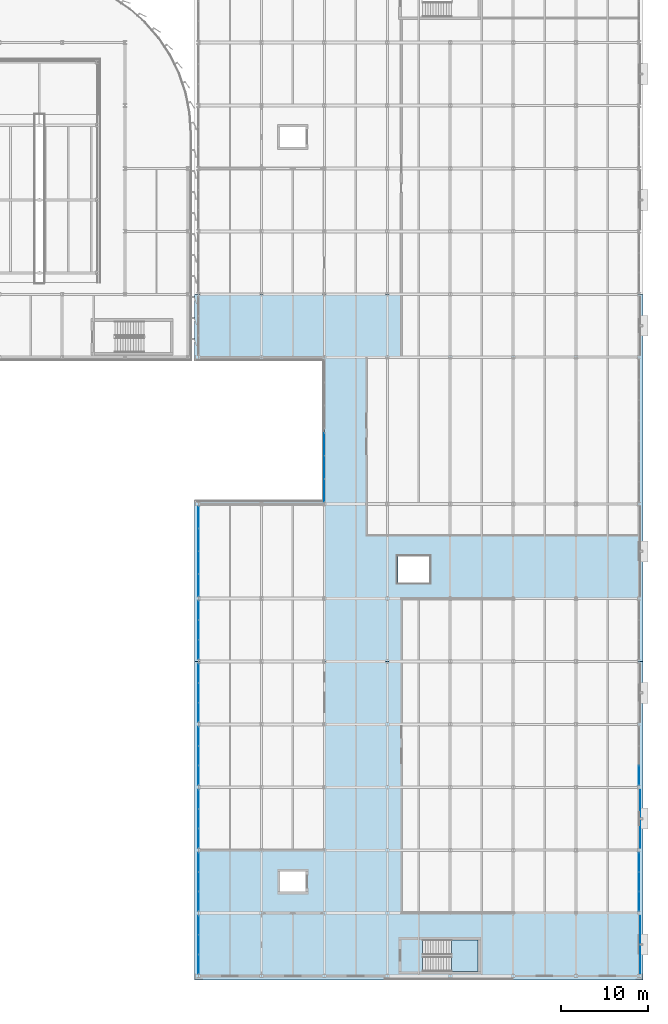
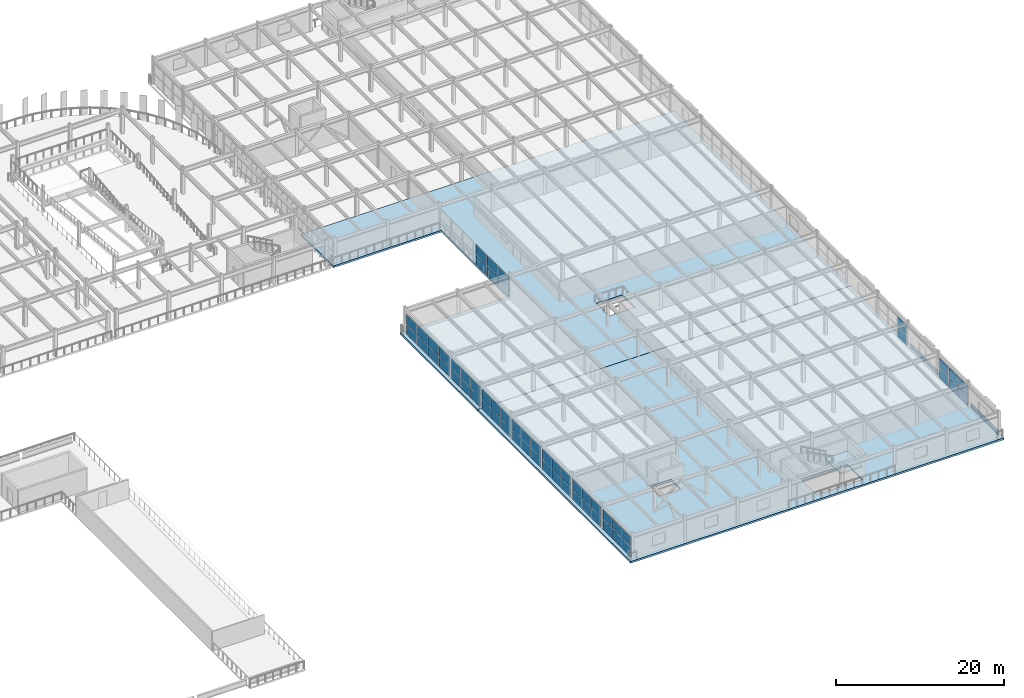
# One storey, part 56 of 93: 60 plates, 3 slabs, 11 elements without a shape of their own.
"""IFC4 building model written with IfcOpenShell, lengths in metres."""

from ifc_helpers import new_model, si_unit, direction, frame, origin, origin_2d, place, context, subcontext, project, spatial, polyline, rectangle, outline, extrude, material, layer, layer_set, type_object, element, aggregate, save


model = new_model("IFC4")

# Units and contexts
model_context = context("Model", 3, precision=1e-05, world=origin(), true_north=direction((0.0, 1.0)))
body_context = subcontext(model_context, "Body", "Model", "MODEL_VIEW")
ifc_project = project(units=[si_unit("LENGTHUNIT", "METRE"), si_unit("AREAUNIT", "SQUARE_METRE"), si_unit("VOLUMEUNIT", "CUBIC_METRE"), si_unit("PLANEANGLEUNIT", "RADIAN"), si_unit("MASSUNIT", "GRAM", prefix="KILO")], contexts=[model_context])

# Site, building, storey
site_placement = place(None, origin())
site = spatial("IfcSite", under=ifc_project, at=site_placement, CompositionType="ELEMENT")
building_placement = place(site_placement, origin())
building = spatial("IfcBuilding", under=site, at=building_placement, Name="Vaelcorin Mobility Hub", CompositionType="ELEMENT")
storey_placement = place(building_placement, frame((0.0, 0.0, 5.39990234375)))
storey = spatial("IfcBuildingStorey", under=building, at=storey_placement, Name="L01", CompositionType="ELEMENT", Elevation=5.39990234375)

# Curtain wall, plates
ifc_material_1 = material(Name="Anodised aluminium 6063-T6", Category="aluminium")
curtain_wall_type = type_object("IfcCurtainWallType", Name="CW-MOB-A", PredefinedType="NOTDEFINED", material=ifc_material_1)
curtain_wall_1_placement = place(storey_placement, origin())
curtain_wall_1 = element("IfcCurtainWall", 1, at=curtain_wall_1_placement, inside=storey, type_object=curtain_wall_type, Name="L01 Curtain Wall CW-V5-L01-E-02", PredefinedType="NOTDEFINED")
ifc_material_2 = material(Name="Low-E solar-control insulated glazing", Category="glass")
ifc_layer_1 = layer(ifc_material_2, 0.028076171875)
ifc_layer_set_1 = layer_set([ifc_layer_1], Name="Low-E solar-control insulated glazing")
plate_type_1 = type_object("IfcPlateType", Name="CW-PAN-GLZ28", PredefinedType="CURTAIN_PANEL", material=ifc_layer_set_1)
plate_1_placement = place(storey_placement, frame((204.0, 19.038330078125, 0.06005859375), z_axis=(0.0, 0.0, 1.0), x_axis=(0.0, -1.0, 0.0)))
plate_1 = element("IfcPlate", 2, at=plate_1_placement, type_object=plate_type_1, Name="CW7 panel 1.1", PredefinedType="CURTAIN_PANEL", context=body_context, shape_type="SweptSolid", body=[
    extrude(rectangle(XDim=2.163330078125, YDim=0.028076171875, at=origin_2d()), origin(), (0.0, 0.0, 1.0), 1.431884765625),
])
plate_2_placement = place(storey_placement, frame((204.0, 19.038330078125, 1.55224609375), z_axis=(0.0, 0.0, 1.0), x_axis=(0.0, -1.0, 0.0)))
plate_2 = element("IfcPlate", 3, at=plate_2_placement, type_object=plate_type_1, Name="CW7 panel 1.2", PredefinedType="CURTAIN_PANEL", context=body_context, shape_type="SweptSolid", body=[
    extrude(rectangle(XDim=2.163330078125, YDim=0.028076171875, at=origin_2d()), origin(), (0.0, 0.0, 1.0), 1.430908203125),
])
plate_3_placement = place(storey_placement, frame((204.0, 16.800048828125, 0.06005859375), z_axis=(0.0, 0.0, 1.0), x_axis=(0.0, -1.0, 0.0)))
plate_3 = element("IfcPlate", 4, at=plate_3_placement, type_object=plate_type_1, Name="CW7 panel 2.1", PredefinedType="CURTAIN_PANEL", context=body_context, shape_type="SweptSolid", body=[
    extrude(rectangle(XDim=2.193359375, YDim=0.028076171875, at=origin_2d()), origin(), (0.0, 0.0, 1.0), 1.431884765625),
])
plate_4_placement = place(storey_placement, frame((204.0, 16.800048828125, 1.55224609375), z_axis=(0.0, 0.0, 1.0), x_axis=(0.0, -1.0, 0.0)))
plate_4 = element("IfcPlate", 5, at=plate_4_placement, type_object=plate_type_1, Name="CW7 panel 2.2", PredefinedType="CURTAIN_PANEL", context=body_context, shape_type="SweptSolid", body=[
    extrude(rectangle(XDim=2.193359375, YDim=0.028076171875, at=origin_2d()), origin(), (0.0, 0.0, 1.0), 1.430908203125),
])
plate_5_placement = place(storey_placement, frame((204.0, 14.561767578125, 0.06005859375), z_axis=(0.0, 0.0, 1.0), x_axis=(0.0, -1.0, 0.0)))
plate_5 = element("IfcPlate", 6, at=plate_5_placement, type_object=plate_type_1, Name="CW7 panel 3.1", PredefinedType="CURTAIN_PANEL", context=body_context, shape_type="SweptSolid", body=[
    extrude(rectangle(XDim=2.163330078125, YDim=0.028076171875, at=origin_2d()), origin(), (0.0, 0.0, 1.0), 1.431884765625),
])
plate_6_placement = place(storey_placement, frame((204.0, 14.561767578125, 1.55224609375), z_axis=(0.0, 0.0, 1.0), x_axis=(0.0, -1.0, 0.0)))
plate_6 = element("IfcPlate", 7, at=plate_6_placement, type_object=plate_type_1, Name="CW7 panel 3.2", PredefinedType="CURTAIN_PANEL", context=body_context, shape_type="SweptSolid", body=[
    extrude(rectangle(XDim=2.163330078125, YDim=0.028076171875, at=origin_2d()), origin(), (0.0, 0.0, 1.0), 1.430908203125),
])
aggregate(curtain_wall_1, [plate_1, plate_2, plate_3, plate_4, plate_5, plate_6])

curtain_wall_2_placement = place(storey_placement, origin())
curtain_wall_2 = element("IfcCurtainWall", 8, at=curtain_wall_2_placement, inside=storey, type_object=curtain_wall_type, Name="L01 Curtain Wall CW-V5-L01-E-04", PredefinedType="NOTDEFINED")
plate_7_placement = place(storey_placement, frame((204.0, 28.961669921875, 0.06005859375), z_axis=(0.0, 0.0, 1.0), x_axis=(0.0, -1.0, 0.0)))
plate_7 = element("IfcPlate", 9, at=plate_7_placement, type_object=plate_type_1, Name="CW7 panel 3.1", PredefinedType="CURTAIN_PANEL", context=body_context, shape_type="SweptSolid", body=[
    extrude(rectangle(XDim=2.163330078125, YDim=0.028076171875, at=origin_2d()), origin(), (0.0, 0.0, 1.0), 1.431884765625),
])
plate_8_placement = place(storey_placement, frame((204.0, 28.961669921875, 1.55224609375), z_axis=(0.0, 0.0, 1.0), x_axis=(0.0, -1.0, 0.0)))
plate_8 = element("IfcPlate", 10, at=plate_8_placement, type_object=plate_type_1, Name="CW7 panel 3.2", PredefinedType="CURTAIN_PANEL", context=body_context, shape_type="SweptSolid", body=[
    extrude(rectangle(XDim=2.163330078125, YDim=0.028076171875, at=origin_2d()), origin(), (0.0, 0.0, 1.0), 1.430908203125),
])
aggregate(curtain_wall_2, [plate_7, plate_8])

curtain_wall_3_placement = place(storey_placement, origin())
curtain_wall_3 = element("IfcCurtainWall", 11, at=curtain_wall_3_placement, inside=storey, type_object=curtain_wall_type, Name="L01 Curtain Wall CW-V5-L01-WS-01", PredefinedType="NOTDEFINED")
plate_9_placement = place(storey_placement, frame((153.60009765625, 7.361572265625, 0.06005859375), z_axis=(0.0, 0.0, 1.0), x_axis=(0.0, 1.0, 0.0)))
plate_9 = element("IfcPlate", 12, at=plate_9_placement, type_object=plate_type_1, Name="CW7 panel 1.1", PredefinedType="CURTAIN_PANEL", context=body_context, shape_type="SweptSolid", body=[
    extrude(rectangle(XDim=2.163330078125, YDim=0.028076171875, at=origin_2d()), origin(), (0.0, 0.0, 1.0), 1.431884765625),
])
plate_10_placement = place(storey_placement, frame((153.60009765625, 7.361572265625, 1.55224609375), z_axis=(0.0, 0.0, 1.0), x_axis=(0.0, 1.0, 0.0)))
plate_10 = element("IfcPlate", 13, at=plate_10_placement, type_object=plate_type_1, Name="CW7 panel 1.2", PredefinedType="CURTAIN_PANEL", context=body_context, shape_type="SweptSolid", body=[
    extrude(rectangle(XDim=2.163330078125, YDim=0.028076171875, at=origin_2d()), origin(), (0.0, 0.0, 1.0), 1.430908203125),
])
plate_11_placement = place(storey_placement, frame((153.60009765625, 9.60009765625, 0.06005859375), z_axis=(0.0, 0.0, 1.0), x_axis=(0.0, 1.0, 0.0)))
plate_11 = element("IfcPlate", 14, at=plate_11_placement, type_object=plate_type_1, Name="CW7 panel 2.1", PredefinedType="CURTAIN_PANEL", context=body_context, shape_type="SweptSolid", body=[
    extrude(rectangle(XDim=2.193359375, YDim=0.028076171875, at=origin_2d()), origin(), (0.0, 0.0, 1.0), 1.431884765625),
])
plate_12_placement = place(storey_placement, frame((153.60009765625, 9.60009765625, 1.55224609375), z_axis=(0.0, 0.0, 1.0), x_axis=(0.0, 1.0, 0.0)))
plate_12 = element("IfcPlate", 15, at=plate_12_placement, type_object=plate_type_1, Name="CW7 panel 2.2", PredefinedType="CURTAIN_PANEL", context=body_context, shape_type="SweptSolid", body=[
    extrude(rectangle(XDim=2.193359375, YDim=0.028076171875, at=origin_2d()), origin(), (0.0, 0.0, 1.0), 1.430908203125),
])
plate_13_placement = place(storey_placement, frame((153.60009765625, 11.83837890625, 0.06005859375), z_axis=(0.0, 0.0, 1.0), x_axis=(0.0, 1.0, 0.0)))
plate_13 = element("IfcPlate", 16, at=plate_13_placement, type_object=plate_type_1, Name="CW7 panel 3.1", PredefinedType="CURTAIN_PANEL", context=body_context, shape_type="SweptSolid", body=[
    extrude(rectangle(XDim=2.163330078125, YDim=0.028076171875, at=origin_2d()), origin(), (0.0, 0.0, 1.0), 1.431884765625),
])
plate_14_placement = place(storey_placement, frame((153.60009765625, 11.83837890625, 1.55224609375), z_axis=(0.0, 0.0, 1.0), x_axis=(0.0, 1.0, 0.0)))
plate_14 = element("IfcPlate", 17, at=plate_14_placement, type_object=plate_type_1, Name="CW7 panel 3.2", PredefinedType="CURTAIN_PANEL", context=body_context, shape_type="SweptSolid", body=[
    extrude(rectangle(XDim=2.163330078125, YDim=0.028076171875, at=origin_2d()), origin(), (0.0, 0.0, 1.0), 1.430908203125),
])
aggregate(curtain_wall_3, [plate_9, plate_10, plate_11, plate_12, plate_13, plate_14])

curtain_wall_4_placement = place(storey_placement, origin())
curtain_wall_4 = element("IfcCurtainWall", 18, at=curtain_wall_4_placement, inside=storey, type_object=curtain_wall_type, Name="L01 Curtain Wall CW-V5-L01-WS-02", PredefinedType="NOTDEFINED")
plate_15_placement = place(storey_placement, frame((153.60009765625, 14.561767578125, 0.06005859375), z_axis=(0.0, 0.0, 1.0), x_axis=(0.0, 1.0, 0.0)))
plate_15 = element("IfcPlate", 19, at=plate_15_placement, type_object=plate_type_1, Name="CW7 panel 1.1", PredefinedType="CURTAIN_PANEL", context=body_context, shape_type="SweptSolid", body=[
    extrude(rectangle(XDim=2.163330078125, YDim=0.028076171875, at=origin_2d()), origin(), (0.0, 0.0, 1.0), 1.431884765625),
])
plate_16_placement = place(storey_placement, frame((153.60009765625, 14.561767578125, 1.55224609375), z_axis=(0.0, 0.0, 1.0), x_axis=(0.0, 1.0, 0.0)))
plate_16 = element("IfcPlate", 20, at=plate_16_placement, type_object=plate_type_1, Name="CW7 panel 1.2", PredefinedType="CURTAIN_PANEL", context=body_context, shape_type="SweptSolid", body=[
    extrude(rectangle(XDim=2.163330078125, YDim=0.028076171875, at=origin_2d()), origin(), (0.0, 0.0, 1.0), 1.430908203125),
])
plate_17_placement = place(storey_placement, frame((153.60009765625, 16.800048828125, 0.06005859375), z_axis=(0.0, 0.0, 1.0), x_axis=(0.0, 1.0, 0.0)))
plate_17 = element("IfcPlate", 21, at=plate_17_placement, type_object=plate_type_1, Name="CW7 panel 2.1", PredefinedType="CURTAIN_PANEL", context=body_context, shape_type="SweptSolid", body=[
    extrude(rectangle(XDim=2.193359375, YDim=0.028076171875, at=origin_2d()), origin(), (0.0, 0.0, 1.0), 1.431884765625),
])
plate_18_placement = place(storey_placement, frame((153.60009765625, 16.800048828125, 1.55224609375), z_axis=(0.0, 0.0, 1.0), x_axis=(0.0, 1.0, 0.0)))
plate_18 = element("IfcPlate", 22, at=plate_18_placement, type_object=plate_type_1, Name="CW7 panel 2.2", PredefinedType="CURTAIN_PANEL", context=body_context, shape_type="SweptSolid", body=[
    extrude(rectangle(XDim=2.193359375, YDim=0.028076171875, at=origin_2d()), origin(), (0.0, 0.0, 1.0), 1.430908203125),
])
plate_19_placement = place(storey_placement, frame((153.60009765625, 19.038330078125, 0.06005859375), z_axis=(0.0, 0.0, 1.0), x_axis=(0.0, 1.0, 0.0)))
plate_19 = element("IfcPlate", 23, at=plate_19_placement, type_object=plate_type_1, Name="CW7 panel 3.1", PredefinedType="CURTAIN_PANEL", context=body_context, shape_type="SweptSolid", body=[
    extrude(rectangle(XDim=2.163330078125, YDim=0.028076171875, at=origin_2d()), origin(), (0.0, 0.0, 1.0), 1.431884765625),
])
plate_20_placement = place(storey_placement, frame((153.60009765625, 19.038330078125, 1.55224609375), z_axis=(0.0, 0.0, 1.0), x_axis=(0.0, 1.0, 0.0)))
plate_20 = element("IfcPlate", 24, at=plate_20_placement, type_object=plate_type_1, Name="CW7 panel 3.2", PredefinedType="CURTAIN_PANEL", context=body_context, shape_type="SweptSolid", body=[
    extrude(rectangle(XDim=2.163330078125, YDim=0.028076171875, at=origin_2d()), origin(), (0.0, 0.0, 1.0), 1.430908203125),
])
aggregate(curtain_wall_4, [plate_15, plate_16, plate_17, plate_18, plate_19, plate_20])

curtain_wall_5_placement = place(storey_placement, origin())
curtain_wall_5 = element("IfcCurtainWall", 25, at=curtain_wall_5_placement, inside=storey, type_object=curtain_wall_type, Name="L01 Curtain Wall CW-V5-L01-WS-03", PredefinedType="NOTDEFINED")
plate_21_placement = place(storey_placement, frame((153.60009765625, 21.76171875, 0.06005859375), z_axis=(0.0, 0.0, 1.0), x_axis=(0.0, 1.0, 0.0)))
plate_21 = element("IfcPlate", 26, at=plate_21_placement, type_object=plate_type_1, Name="CW7 panel 1.1", PredefinedType="CURTAIN_PANEL", context=body_context, shape_type="SweptSolid", body=[
    extrude(rectangle(XDim=2.163330078125, YDim=0.028076171875, at=origin_2d()), origin(), (0.0, 0.0, 1.0), 1.431884765625),
])
plate_22_placement = place(storey_placement, frame((153.60009765625, 21.76171875, 1.55224609375), z_axis=(0.0, 0.0, 1.0), x_axis=(0.0, 1.0, 0.0)))
plate_22 = element("IfcPlate", 27, at=plate_22_placement, type_object=plate_type_1, Name="CW7 panel 1.2", PredefinedType="CURTAIN_PANEL", context=body_context, shape_type="SweptSolid", body=[
    extrude(rectangle(XDim=2.163330078125, YDim=0.028076171875, at=origin_2d()), origin(), (0.0, 0.0, 1.0), 1.430908203125),
])
plate_23_placement = place(storey_placement, frame((153.60009765625, 24.0, 0.06005859375), z_axis=(0.0, 0.0, 1.0), x_axis=(0.0, 1.0, 0.0)))
plate_23 = element("IfcPlate", 28, at=plate_23_placement, type_object=plate_type_1, Name="CW7 panel 2.1", PredefinedType="CURTAIN_PANEL", context=body_context, shape_type="SweptSolid", body=[
    extrude(rectangle(XDim=2.193359375, YDim=0.028076171875, at=origin_2d()), origin(), (0.0, 0.0, 1.0), 1.431884765625),
])
plate_24_placement = place(storey_placement, frame((153.60009765625, 24.0, 1.55224609375), z_axis=(0.0, 0.0, 1.0), x_axis=(0.0, 1.0, 0.0)))
plate_24 = element("IfcPlate", 29, at=plate_24_placement, type_object=plate_type_1, Name="CW7 panel 2.2", PredefinedType="CURTAIN_PANEL", context=body_context, shape_type="SweptSolid", body=[
    extrude(rectangle(XDim=2.193359375, YDim=0.028076171875, at=origin_2d()), origin(), (0.0, 0.0, 1.0), 1.430908203125),
])
plate_25_placement = place(storey_placement, frame((153.60009765625, 26.23828125, 0.06005859375), z_axis=(0.0, 0.0, 1.0), x_axis=(0.0, 1.0, 0.0)))
plate_25 = element("IfcPlate", 30, at=plate_25_placement, type_object=plate_type_1, Name="CW7 panel 3.1", PredefinedType="CURTAIN_PANEL", context=body_context, shape_type="SweptSolid", body=[
    extrude(rectangle(XDim=2.163330078125, YDim=0.028076171875, at=origin_2d()), origin(), (0.0, 0.0, 1.0), 1.431884765625),
])
plate_26_placement = place(storey_placement, frame((153.60009765625, 26.23828125, 1.55224609375), z_axis=(0.0, 0.0, 1.0), x_axis=(0.0, 1.0, 0.0)))
plate_26 = element("IfcPlate", 31, at=plate_26_placement, type_object=plate_type_1, Name="CW7 panel 3.2", PredefinedType="CURTAIN_PANEL", context=body_context, shape_type="SweptSolid", body=[
    extrude(rectangle(XDim=2.163330078125, YDim=0.028076171875, at=origin_2d()), origin(), (0.0, 0.0, 1.0), 1.430908203125),
])
aggregate(curtain_wall_5, [plate_21, plate_22, plate_23, plate_24, plate_25, plate_26])

curtain_wall_6_placement = place(storey_placement, origin())
curtain_wall_6 = element("IfcCurtainWall", 32, at=curtain_wall_6_placement, inside=storey, type_object=curtain_wall_type, Name="L01 Curtain Wall CW-V5-L01-WS-04", PredefinedType="NOTDEFINED")
plate_27_placement = place(storey_placement, frame((153.60009765625, 28.961669921875, 0.06005859375), z_axis=(0.0, 0.0, 1.0), x_axis=(0.0, 1.0, 0.0)))
plate_27 = element("IfcPlate", 33, at=plate_27_placement, type_object=plate_type_1, Name="CW7 panel 1.1", PredefinedType="CURTAIN_PANEL", context=body_context, shape_type="SweptSolid", body=[
    extrude(rectangle(XDim=2.163330078125, YDim=0.028076171875, at=origin_2d()), origin(), (0.0, 0.0, 1.0), 1.431884765625),
])
plate_28_placement = place(storey_placement, frame((153.60009765625, 28.961669921875, 1.55224609375), z_axis=(0.0, 0.0, 1.0), x_axis=(0.0, 1.0, 0.0)))
plate_28 = element("IfcPlate", 34, at=plate_28_placement, type_object=plate_type_1, Name="CW7 panel 1.2", PredefinedType="CURTAIN_PANEL", context=body_context, shape_type="SweptSolid", body=[
    extrude(rectangle(XDim=2.163330078125, YDim=0.028076171875, at=origin_2d()), origin(), (0.0, 0.0, 1.0), 1.430908203125),
])
plate_29_placement = place(storey_placement, frame((153.60009765625, 31.199951171875, 0.06005859375), z_axis=(0.0, 0.0, 1.0), x_axis=(0.0, 1.0, 0.0)))
plate_29 = element("IfcPlate", 35, at=plate_29_placement, type_object=plate_type_1, Name="CW7 panel 2.1", PredefinedType="CURTAIN_PANEL", context=body_context, shape_type="SweptSolid", body=[
    extrude(rectangle(XDim=2.193359375, YDim=0.028076171875, at=origin_2d()), origin(), (0.0, 0.0, 1.0), 1.431884765625),
])
plate_30_placement = place(storey_placement, frame((153.60009765625, 31.199951171875, 1.55224609375), z_axis=(0.0, 0.0, 1.0), x_axis=(0.0, 1.0, 0.0)))
plate_30 = element("IfcPlate", 36, at=plate_30_placement, type_object=plate_type_1, Name="CW7 panel 2.2", PredefinedType="CURTAIN_PANEL", context=body_context, shape_type="SweptSolid", body=[
    extrude(rectangle(XDim=2.193359375, YDim=0.028076171875, at=origin_2d()), origin(), (0.0, 0.0, 1.0), 1.430908203125),
])
plate_31_placement = place(storey_placement, frame((153.60009765625, 33.438232421875, 0.06005859375), z_axis=(0.0, 0.0, 1.0), x_axis=(0.0, 1.0, 0.0)))
plate_31 = element("IfcPlate", 37, at=plate_31_placement, type_object=plate_type_1, Name="CW7 panel 3.1", PredefinedType="CURTAIN_PANEL", context=body_context, shape_type="SweptSolid", body=[
    extrude(rectangle(XDim=2.163330078125, YDim=0.028076171875, at=origin_2d()), origin(), (0.0, 0.0, 1.0), 1.431884765625),
])
plate_32_placement = place(storey_placement, frame((153.60009765625, 33.438232421875, 1.55224609375), z_axis=(0.0, 0.0, 1.0), x_axis=(0.0, 1.0, 0.0)))
plate_32 = element("IfcPlate", 38, at=plate_32_placement, type_object=plate_type_1, Name="CW7 panel 3.2", PredefinedType="CURTAIN_PANEL", context=body_context, shape_type="SweptSolid", body=[
    extrude(rectangle(XDim=2.163330078125, YDim=0.028076171875, at=origin_2d()), origin(), (0.0, 0.0, 1.0), 1.430908203125),
])
aggregate(curtain_wall_6, [plate_27, plate_28, plate_29, plate_30, plate_31, plate_32])

curtain_wall_7_placement = place(storey_placement, origin())
curtain_wall_7 = element("IfcCurtainWall", 39, at=curtain_wall_7_placement, inside=storey, type_object=curtain_wall_type, Name="L01 Curtain Wall CW-V5-L01-WS-05", PredefinedType="NOTDEFINED")
plate_33_placement = place(storey_placement, frame((153.60009765625, 36.16162109375, 0.06005859375), z_axis=(0.0, 0.0, 1.0), x_axis=(0.0, 1.0, 0.0)))
plate_33 = element("IfcPlate", 40, at=plate_33_placement, type_object=plate_type_1, Name="CW7 panel 1.1", PredefinedType="CURTAIN_PANEL", context=body_context, shape_type="SweptSolid", body=[
    extrude(rectangle(XDim=2.163330078125, YDim=0.028076171875, at=origin_2d()), origin(), (0.0, 0.0, 1.0), 1.431884765625),
])
plate_34_placement = place(storey_placement, frame((153.60009765625, 36.16162109375, 1.55224609375), z_axis=(0.0, 0.0, 1.0), x_axis=(0.0, 1.0, 0.0)))
plate_34 = element("IfcPlate", 41, at=plate_34_placement, type_object=plate_type_1, Name="CW7 panel 1.2", PredefinedType="CURTAIN_PANEL", context=body_context, shape_type="SweptSolid", body=[
    extrude(rectangle(XDim=2.163330078125, YDim=0.028076171875, at=origin_2d()), origin(), (0.0, 0.0, 1.0), 1.430908203125),
])
plate_35_placement = place(storey_placement, frame((153.60009765625, 38.39990234375, 0.06005859375), z_axis=(0.0, 0.0, 1.0), x_axis=(0.0, 1.0, 0.0)))
plate_35 = element("IfcPlate", 42, at=plate_35_placement, type_object=plate_type_1, Name="CW7 panel 2.1", PredefinedType="CURTAIN_PANEL", context=body_context, shape_type="SweptSolid", body=[
    extrude(rectangle(XDim=2.193359375, YDim=0.028076171875, at=origin_2d()), origin(), (0.0, 0.0, 1.0), 1.431884765625),
])
plate_36_placement = place(storey_placement, frame((153.60009765625, 38.39990234375, 1.55224609375), z_axis=(0.0, 0.0, 1.0), x_axis=(0.0, 1.0, 0.0)))
plate_36 = element("IfcPlate", 43, at=plate_36_placement, type_object=plate_type_1, Name="CW7 panel 2.2", PredefinedType="CURTAIN_PANEL", context=body_context, shape_type="SweptSolid", body=[
    extrude(rectangle(XDim=2.193359375, YDim=0.028076171875, at=origin_2d()), origin(), (0.0, 0.0, 1.0), 1.430908203125),
])
plate_37_placement = place(storey_placement, frame((153.60009765625, 40.638427734375, 0.06005859375), z_axis=(0.0, 0.0, 1.0), x_axis=(0.0, 1.0, 0.0)))
plate_37 = element("IfcPlate", 44, at=plate_37_placement, type_object=plate_type_1, Name="CW7 panel 3.1", PredefinedType="CURTAIN_PANEL", context=body_context, shape_type="SweptSolid", body=[
    extrude(rectangle(XDim=2.163330078125, YDim=0.028076171875, at=origin_2d()), origin(), (0.0, 0.0, 1.0), 1.431884765625),
])
plate_38_placement = place(storey_placement, frame((153.60009765625, 40.638427734375, 1.55224609375), z_axis=(0.0, 0.0, 1.0), x_axis=(0.0, 1.0, 0.0)))
plate_38 = element("IfcPlate", 45, at=plate_38_placement, type_object=plate_type_1, Name="CW7 panel 3.2", PredefinedType="CURTAIN_PANEL", context=body_context, shape_type="SweptSolid", body=[
    extrude(rectangle(XDim=2.163330078125, YDim=0.028076171875, at=origin_2d()), origin(), (0.0, 0.0, 1.0), 1.430908203125),
])
aggregate(curtain_wall_7, [plate_33, plate_34, plate_35, plate_36, plate_37, plate_38])

curtain_wall_8_placement = place(storey_placement, origin())
curtain_wall_8 = element("IfcCurtainWall", 46, at=curtain_wall_8_placement, inside=storey, type_object=curtain_wall_type, Name="L01 Curtain Wall CW-V5-L01-WS-06", PredefinedType="NOTDEFINED")
plate_39_placement = place(storey_placement, frame((153.60009765625, 43.361572265625, 0.06005859375), z_axis=(0.0, 0.0, 1.0), x_axis=(0.0, 1.0, 0.0)))
plate_39 = element("IfcPlate", 47, at=plate_39_placement, type_object=plate_type_1, Name="CW7 panel 1.1", PredefinedType="CURTAIN_PANEL", context=body_context, shape_type="SweptSolid", body=[
    extrude(rectangle(XDim=2.163330078125, YDim=0.028076171875, at=origin_2d()), origin(), (0.0, 0.0, 1.0), 1.431884765625),
])
plate_40_placement = place(storey_placement, frame((153.60009765625, 43.361572265625, 1.55224609375), z_axis=(0.0, 0.0, 1.0), x_axis=(0.0, 1.0, 0.0)))
plate_40 = element("IfcPlate", 48, at=plate_40_placement, type_object=plate_type_1, Name="CW7 panel 1.2", PredefinedType="CURTAIN_PANEL", context=body_context, shape_type="SweptSolid", body=[
    extrude(rectangle(XDim=2.163330078125, YDim=0.028076171875, at=origin_2d()), origin(), (0.0, 0.0, 1.0), 1.430908203125),
])
plate_41_placement = place(storey_placement, frame((153.60009765625, 45.60009765625, 0.06005859375), z_axis=(0.0, 0.0, 1.0), x_axis=(0.0, 1.0, 0.0)))
plate_41 = element("IfcPlate", 49, at=plate_41_placement, type_object=plate_type_1, Name="CW7 panel 2.1", PredefinedType="CURTAIN_PANEL", context=body_context, shape_type="SweptSolid", body=[
    extrude(rectangle(XDim=2.193359375, YDim=0.028076171875, at=origin_2d()), origin(), (0.0, 0.0, 1.0), 1.431884765625),
])
plate_42_placement = place(storey_placement, frame((153.60009765625, 45.60009765625, 1.55224609375), z_axis=(0.0, 0.0, 1.0), x_axis=(0.0, 1.0, 0.0)))
plate_42 = element("IfcPlate", 50, at=plate_42_placement, type_object=plate_type_1, Name="CW7 panel 2.2", PredefinedType="CURTAIN_PANEL", context=body_context, shape_type="SweptSolid", body=[
    extrude(rectangle(XDim=2.193359375, YDim=0.028076171875, at=origin_2d()), origin(), (0.0, 0.0, 1.0), 1.430908203125),
])
plate_43_placement = place(storey_placement, frame((153.60009765625, 47.83837890625, 0.06005859375), z_axis=(0.0, 0.0, 1.0), x_axis=(0.0, 1.0, 0.0)))
plate_43 = element("IfcPlate", 51, at=plate_43_placement, type_object=plate_type_1, Name="CW7 panel 3.1", PredefinedType="CURTAIN_PANEL", context=body_context, shape_type="SweptSolid", body=[
    extrude(rectangle(XDim=2.163330078125, YDim=0.028076171875, at=origin_2d()), origin(), (0.0, 0.0, 1.0), 1.431884765625),
])
plate_44_placement = place(storey_placement, frame((153.60009765625, 47.83837890625, 1.55224609375), z_axis=(0.0, 0.0, 1.0), x_axis=(0.0, 1.0, 0.0)))
plate_44 = element("IfcPlate", 52, at=plate_44_placement, type_object=plate_type_1, Name="CW7 panel 3.2", PredefinedType="CURTAIN_PANEL", context=body_context, shape_type="SweptSolid", body=[
    extrude(rectangle(XDim=2.163330078125, YDim=0.028076171875, at=origin_2d()), origin(), (0.0, 0.0, 1.0), 1.430908203125),
])
aggregate(curtain_wall_8, [plate_39, plate_40, plate_41, plate_42, plate_43, plate_44])

curtain_wall_9_placement = place(storey_placement, origin())
curtain_wall_9 = element("IfcCurtainWall", 53, at=curtain_wall_9_placement, inside=storey, type_object=curtain_wall_type, Name="L01 Curtain Wall CW-V5-L01-WS-07", PredefinedType="NOTDEFINED")
plate_45_placement = place(storey_placement, frame((153.60009765625, 50.72998046875, 0.06005859375), z_axis=(0.0, 0.0, 1.0), x_axis=(0.0, 1.0, 0.0)))
plate_45 = element("IfcPlate", 54, at=plate_45_placement, type_object=plate_type_1, Name="CW7 panel 1.1", PredefinedType="CURTAIN_PANEL", context=body_context, shape_type="SweptSolid", body=[
    extrude(rectangle(XDim=2.5, YDim=0.028076171875, at=origin_2d()), origin(), (0.0, 0.0, 1.0), 1.431884765625),
])
plate_46_placement = place(storey_placement, frame((153.60009765625, 50.72998046875, 1.55224609375), z_axis=(0.0, 0.0, 1.0), x_axis=(0.0, 1.0, 0.0)))
plate_46 = element("IfcPlate", 55, at=plate_46_placement, type_object=plate_type_1, Name="CW7 panel 1.2", PredefinedType="CURTAIN_PANEL", context=body_context, shape_type="SweptSolid", body=[
    extrude(rectangle(XDim=2.5, YDim=0.028076171875, at=origin_2d()), origin(), (0.0, 0.0, 1.0), 1.430908203125),
])
plate_47_placement = place(storey_placement, frame((153.60009765625, 53.304931640625, 0.06005859375), z_axis=(0.0, 0.0, 1.0), x_axis=(0.0, 1.0, 0.0)))
plate_47 = element("IfcPlate", 56, at=plate_47_placement, type_object=plate_type_1, Name="CW7 panel 2.1", PredefinedType="CURTAIN_PANEL", context=body_context, shape_type="SweptSolid", body=[
    extrude(rectangle(XDim=2.530029296875, YDim=0.028076171875, at=origin_2d()), origin(), (0.0, 0.0, 1.0), 1.431884765625),
])
plate_48_placement = place(storey_placement, frame((153.60009765625, 53.304931640625, 1.55224609375), z_axis=(0.0, 0.0, 1.0), x_axis=(0.0, 1.0, 0.0)))
plate_48 = element("IfcPlate", 57, at=plate_48_placement, type_object=plate_type_1, Name="CW7 panel 2.2", PredefinedType="CURTAIN_PANEL", context=body_context, shape_type="SweptSolid", body=[
    extrude(rectangle(XDim=2.530029296875, YDim=0.028076171875, at=origin_2d()), origin(), (0.0, 0.0, 1.0), 1.430908203125),
])
plate_49_placement = place(storey_placement, frame((153.60009765625, 55.89501953125, 0.06005859375), z_axis=(0.0, 0.0, 1.0), x_axis=(0.0, 1.0, 0.0)))
plate_49 = element("IfcPlate", 58, at=plate_49_placement, type_object=plate_type_1, Name="CW7 panel 3.1", PredefinedType="CURTAIN_PANEL", context=body_context, shape_type="SweptSolid", body=[
    extrude(rectangle(XDim=2.530029296875, YDim=0.028076171875, at=origin_2d()), origin(), (0.0, 0.0, 1.0), 1.431884765625),
])
plate_50_placement = place(storey_placement, frame((153.60009765625, 55.89501953125, 1.55224609375), z_axis=(0.0, 0.0, 1.0), x_axis=(0.0, 1.0, 0.0)))
plate_50 = element("IfcPlate", 59, at=plate_50_placement, type_object=plate_type_1, Name="CW7 panel 3.2", PredefinedType="CURTAIN_PANEL", context=body_context, shape_type="SweptSolid", body=[
    extrude(rectangle(XDim=2.530029296875, YDim=0.028076171875, at=origin_2d()), origin(), (0.0, 0.0, 1.0), 1.430908203125),
])
plate_51_placement = place(storey_placement, frame((153.60009765625, 58.469970703125, 0.06005859375), z_axis=(0.0, 0.0, 1.0), x_axis=(0.0, 1.0, 0.0)))
plate_51 = element("IfcPlate", 60, at=plate_51_placement, type_object=plate_type_1, Name="CW7 panel 4.1", PredefinedType="CURTAIN_PANEL", context=body_context, shape_type="SweptSolid", body=[
    extrude(rectangle(XDim=2.5, YDim=0.028076171875, at=origin_2d()), origin(), (0.0, 0.0, 1.0), 1.431884765625),
])
plate_52_placement = place(storey_placement, frame((153.60009765625, 58.469970703125, 1.55224609375), z_axis=(0.0, 0.0, 1.0), x_axis=(0.0, 1.0, 0.0)))
plate_52 = element("IfcPlate", 61, at=plate_52_placement, type_object=plate_type_1, Name="CW7 panel 4.2", PredefinedType="CURTAIN_PANEL", context=body_context, shape_type="SweptSolid", body=[
    extrude(rectangle(XDim=2.5, YDim=0.028076171875, at=origin_2d()), origin(), (0.0, 0.0, 1.0), 1.430908203125),
])
aggregate(curtain_wall_9, [plate_45, plate_46, plate_47, plate_48, plate_49, plate_50, plate_51, plate_52])

curtain_wall_10_placement = place(storey_placement, origin())
curtain_wall_10 = element("IfcCurtainWall", 62, at=curtain_wall_10_placement, inside=storey, type_object=curtain_wall_type, Name="L01 Curtain Wall CW-V5-L01-NOTCH-1", PredefinedType="NOTDEFINED")
plate_53_placement = place(storey_placement, frame((168.0, 61.561767578125, 0.06005859375), z_axis=(0.0, 0.0, 1.0), x_axis=(0.0, 1.0, 0.0)))
plate_53 = element("IfcPlate", 63, at=plate_53_placement, type_object=plate_type_1, Name="CW7 panel 1.1", PredefinedType="CURTAIN_PANEL", context=body_context, shape_type="SweptSolid", body=[
    extrude(rectangle(XDim=2.563232421875, YDim=0.028076171875, at=origin_2d()), origin(), (0.0, 0.0, 1.0), 1.431884765625),
])
plate_54_placement = place(storey_placement, frame((168.0, 61.561767578125, 1.55224609375), z_axis=(0.0, 0.0, 1.0), x_axis=(0.0, 1.0, 0.0)))
plate_54 = element("IfcPlate", 64, at=plate_54_placement, type_object=plate_type_1, Name="CW7 panel 1.2", PredefinedType="CURTAIN_PANEL", context=body_context, shape_type="SweptSolid", body=[
    extrude(rectangle(XDim=2.563232421875, YDim=0.028076171875, at=origin_2d()), origin(), (0.0, 0.0, 1.0), 1.430908203125),
])
plate_55_placement = place(storey_placement, frame((168.0, 64.199951171875, 0.06005859375), z_axis=(0.0, 0.0, 1.0), x_axis=(0.0, 1.0, 0.0)))
plate_55 = element("IfcPlate", 65, at=plate_55_placement, type_object=plate_type_1, Name="CW7 panel 2.1", PredefinedType="CURTAIN_PANEL", context=body_context, shape_type="SweptSolid", body=[
    extrude(rectangle(XDim=2.59326171875, YDim=0.028076171875, at=origin_2d()), origin(), (0.0, 0.0, 1.0), 1.431884765625),
])
plate_56_placement = place(storey_placement, frame((168.0, 64.199951171875, 1.55224609375), z_axis=(0.0, 0.0, 1.0), x_axis=(0.0, 1.0, 0.0)))
plate_56 = element("IfcPlate", 66, at=plate_56_placement, type_object=plate_type_1, Name="CW7 panel 2.2", PredefinedType="CURTAIN_PANEL", context=body_context, shape_type="SweptSolid", body=[
    extrude(rectangle(XDim=2.59326171875, YDim=0.028076171875, at=origin_2d()), origin(), (0.0, 0.0, 1.0), 1.430908203125),
])
plate_57_placement = place(storey_placement, frame((168.0, 66.83837890625, 0.06005859375), z_axis=(0.0, 0.0, 1.0), x_axis=(0.0, 1.0, 0.0)))
plate_57 = element("IfcPlate", 67, at=plate_57_placement, type_object=plate_type_1, Name="CW7 panel 3.1", PredefinedType="CURTAIN_PANEL", context=body_context, shape_type="SweptSolid", body=[
    extrude(rectangle(XDim=2.563232421875, YDim=0.028076171875, at=origin_2d()), origin(), (0.0, 0.0, 1.0), 1.431884765625),
])
plate_58_placement = place(storey_placement, frame((168.0, 66.83837890625, 1.55224609375), z_axis=(0.0, 0.0, 1.0), x_axis=(0.0, 1.0, 0.0)))
plate_58 = element("IfcPlate", 68, at=plate_58_placement, type_object=plate_type_1, Name="CW7 panel 3.2", PredefinedType="CURTAIN_PANEL", context=body_context, shape_type="SweptSolid", body=[
    extrude(rectangle(XDim=2.563232421875, YDim=0.028076171875, at=origin_2d()), origin(), (0.0, 0.0, 1.0), 1.430908203125),
])
aggregate(curtain_wall_10, [plate_53, plate_54, plate_55, plate_56, plate_57, plate_58])

# Plates
ifc_material_3 = material(Name="Extruded terracotta-bronze rainscreen panel", Category="masonry")
ifc_layer_2 = layer(ifc_material_3, 0.01806640625)
ifc_layer_set_2 = layer_set([ifc_layer_2], Name="Extruded terracotta-bronze rainscreen panel")
plate_type_2 = type_object("IfcPlateType", Name="PL-CLAD-18", PredefinedType="SHEET", material=ifc_layer_set_2)
plate_59_placement = place(storey_placement, frame((204.138916015625, 9.60009765625, 0.05029296875), z_axis=(0.0, 0.0, 1.0), x_axis=(1.0, 0.0, 0.0)))
element("IfcPlate", 69, at=plate_59_placement, inside=storey, type_object=plate_type_2, Name="Terracotta-Bronze Rainscreen Spandrel L01-01", PredefinedType="SHEET", context=body_context, shape_type="SweptSolid", body=[
    extrude(rectangle(XDim=0.01806640625, YDim=6.60009765625, at=origin_2d()), origin(), (0.0, 0.0, 1.0), 0.699951171875),
])
ifc_layer_3 = layer(ifc_material_3, 0.02197265625)
ifc_layer_set_3 = layer_set([ifc_layer_3], Name="Extruded terracotta-bronze rainscreen panel")
plate_type_3 = type_object("IfcPlateType", Name="PL-CLAD-22", PredefinedType="SHEET", material=ifc_layer_set_3)
plate_60_placement = place(storey_placement, frame((204.14111328125, 24.0, 0.05029296875), z_axis=(0.0, 0.0, 1.0), x_axis=(1.0, 0.0, 0.0)))
element("IfcPlate", 70, at=plate_60_placement, inside=storey, type_object=plate_type_3, Name="Terracotta-Bronze Rainscreen Spandrel L01-03", PredefinedType="SHEET", context=body_context, shape_type="SweptSolid", body=[
    extrude(rectangle(XDim=0.02197265625, YDim=6.60009765625, at=origin_2d()), origin(), (0.0, 0.0, 1.0), 0.699951171875),
])

# Stair, slab
ifc_material_4 = material(Name="Reinforced concrete f'c 45 MPa", Category="concrete")
stair_type = type_object("IfcStairType", Name="STAIR-ST5", PredefinedType="HALF_TURN_STAIR", material=ifc_material_4)
stair_placement = place(storey_placement, origin())
stair = element("IfcStair", 71, at=stair_placement, inside=storey, type_object=stair_type, Name="L01 Protected Exit Stair ST5", PredefinedType="HALF_TURN_STAIR")
ifc_layer_4 = layer(ifc_material_4, 0.199951171875)
ifc_layer_set_4 = layer_set([ifc_layer_4], Name="Reinforced concrete f'c 45 MPa")
slab_type_1 = type_object("IfcSlabType", Name="SLAB-LND-200", PredefinedType="LANDING", material=ifc_layer_set_4)
slab_1_placement = place(storey_placement, frame((0.0, 0.0, 1.75)))
slab_1 = element("IfcSlab", 72, at=slab_1_placement, type_object=slab_type_1, Name="ST5 landing 1", PredefinedType="LANDING", context=body_context, shape_type="SweptSolid", body=[
    extrude(outline(polyline([(182.550048828125, 6.550048828125), (185.60009765625, 6.550048828125), (185.60009765625, 10.14990234375), (182.550048828125, 10.14990234375), (182.550048828125, 6.550048828125)])), origin(), (0.0, 0.0, 1.0), 0.2001953125),
])
aggregate(stair, [slab_1])

# Slabs
ifc_material_5 = material(Name="Concrete f'c 35 MPa", Category="concrete")
ifc_layer_5 = layer(ifc_material_5, 0.260009765625)
ifc_layer_set_5 = layer_set([ifc_layer_5], Name="Concrete f'c 35 MPa")
slab_type_2 = type_object("IfcSlabType", Name="SLAB-WK2", PredefinedType="FLOOR", material=ifc_layer_set_5)
slab_2_placement = place(storey_placement, frame((0.0, 0.0, -0.260009765625)))
element("IfcSlab", 73, at=slab_2_placement, inside=storey, type_object=slab_type_2, Name="L01 Mobility Workshop Floor SL-V5-L01-S", PredefinedType="FLOOR", context=body_context, shape_type="SweptSolid", body=[
    extrude(outline(polyline([(153.14990234375, 5.550048828125), (153.14990234375, 42.0), (204.449951171875, 42.0), (204.449951171875, 5.550048828125), (153.14990234375, 5.550048828125)]), holes=[polyline([(185.60009765625, 10.14990234375), (179.2548828125, 10.14990234375), (179.2548828125, 6.550048828125), (185.60009765625, 6.550048828125), (185.60009765625, 10.14990234375)]), polyline([(165.85009765625, 17.949951171875), (162.949951171875, 17.949951171875), (162.949951171875, 15.64990234375), (165.85009765625, 15.64990234375), (165.85009765625, 17.949951171875)])]), origin(), (0.0, 0.0, 1.0), 0.260009765625),
])
slab_3_placement = place(storey_placement, frame((0.0, 0.0, -0.260009765625)))
element("IfcSlab", 74, at=slab_3_placement, inside=storey, type_object=slab_type_2, Name="L01 Mobility Workshop Floor SL-V5-L01-M", PredefinedType="FLOOR", context=body_context, shape_type="SweptSolid", body=[
    extrude(outline(polyline([(153.14990234375, 42.0), (153.14990234375, 60.449951171875), (168.0, 60.449951171875), (168.0, 76.35009765625), (153.14990234375, 76.35009765625), (153.14990234375, 84.0), (204.449951171875, 84.0), (204.449951171875, 42.0), (153.14990234375, 42.0)]), holes=[polyline([(180.0, 54.0), (176.39990234375, 54.0), (176.39990234375, 51.0), (180.0, 51.0), (180.0, 54.0)])]), origin(), (0.0, 0.0, 1.0), 0.260009765625),
])

save(model, "model.ifc")
